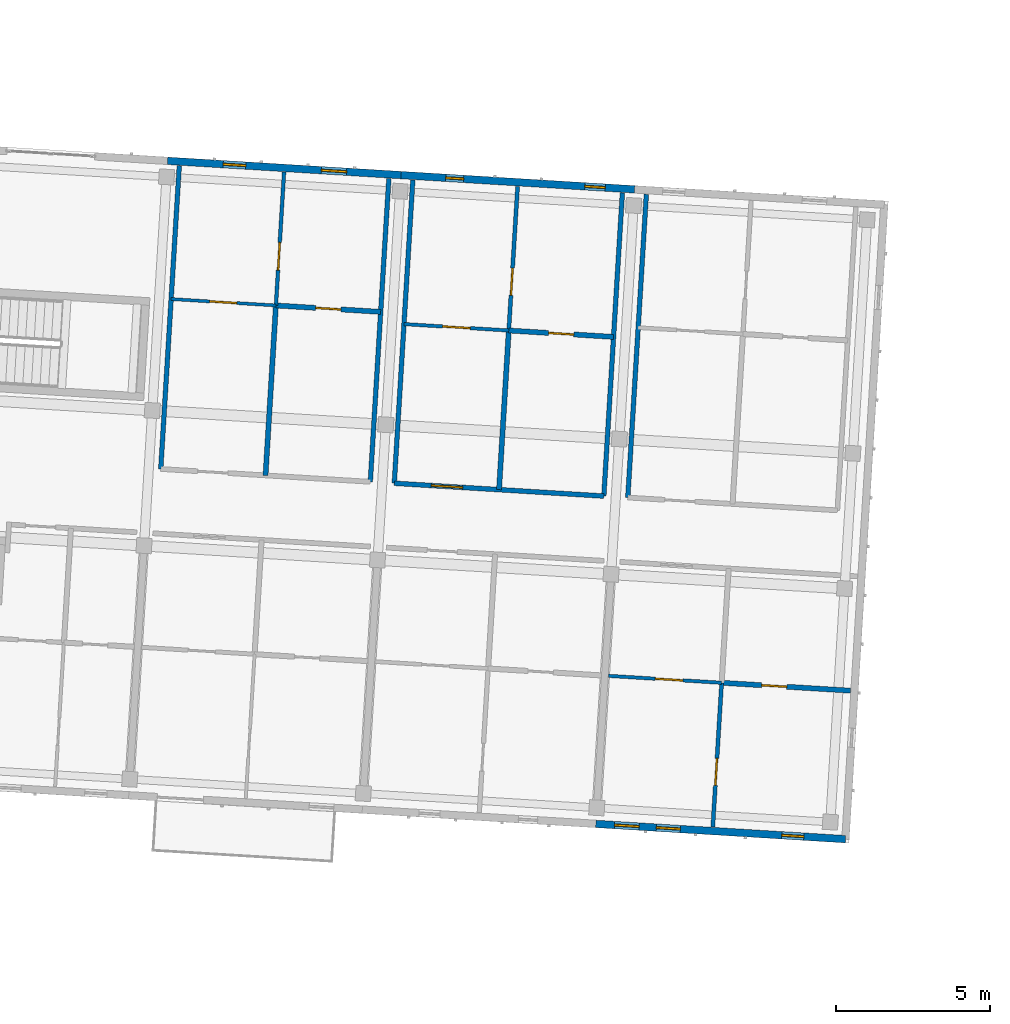
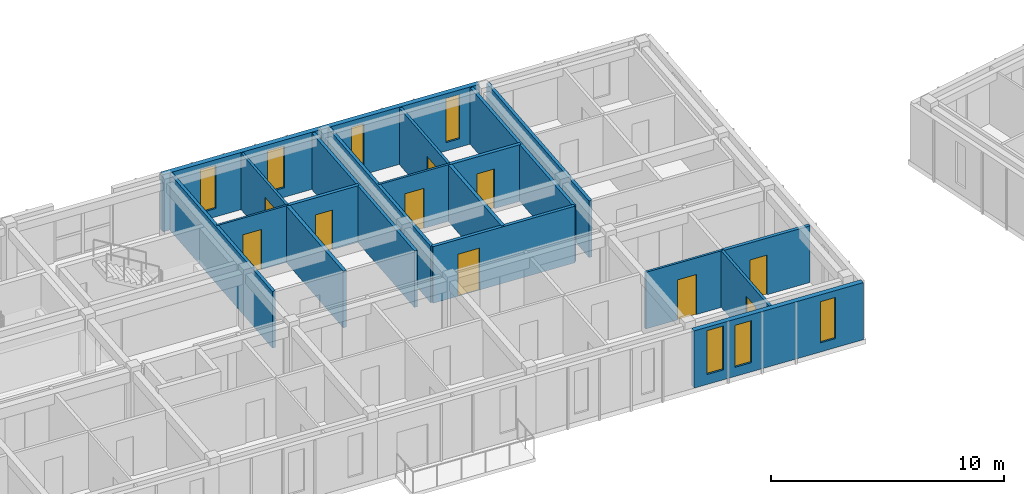
# One storey, part 27 of 68: 20 walls, 10 doors, 7 windows, 17 openings.
"""IFC4 building model written with IfcOpenShell, lengths in metres."""

from ifc_helpers import new_model, si_unit, direction, frame, frame_2d, origin, place, context, subcontext, project, spatial, rectangle, extrude, material, layer, layer_set, type_object, element, fill, save


model = new_model("IFC4")

# Units and contexts
model_context = context("Model", 3, precision=1e-05, world=origin(), true_north=direction((0.0, 1.0)))
body_context = subcontext(model_context, "Body", "Model", "MODEL_VIEW")
ifc_project = project(units=[si_unit("LENGTHUNIT", "METRE"), si_unit("AREAUNIT", "SQUARE_METRE"), si_unit("VOLUMEUNIT", "CUBIC_METRE"), si_unit("PLANEANGLEUNIT", "RADIAN"), si_unit("MASSUNIT", "GRAM", prefix="KILO")], contexts=[model_context])

# Site, building, storey
site_placement = place(None, origin())
site = spatial("IfcSite", under=ifc_project, at=site_placement, CompositionType="ELEMENT")
building_placement = place(site_placement, origin())
building = spatial("IfcBuilding", under=site, at=building_placement, Name="Kestramere Prow Commons", CompositionType="ELEMENT")
storey_placement = place(building_placement, frame((0.0, 0.0, 18.14990234375)))
storey = spatial("IfcBuildingStorey", under=building, at=storey_placement, Name="L05", CompositionType="ELEMENT", Elevation=18.14990234375)

# Wall, openings, windows
ifc_material_1 = material(Name="Fluoropolymer Standing-Seam Zinc-Aluminium Cladding", Category="aluminium")
ifc_layer_1 = layer(ifc_material_1, 0.239990234375)
ifc_layer_set_1 = layer_set([ifc_layer_1], Name="Fluoropolymer Standing-Seam Zinc-Aluminium Cladding")
wall_type_1 = type_object("IfcWallType", Name="EW-SEAM-240", PredefinedType="SOLIDWALL", material=ifc_layer_set_1)
wall_1_placement = place(storey_placement, frame((105.5068359375, 43.16015625, 0.0), z_axis=(0.0, 0.0, 1.0), x_axis=(-0.998134248939, 0.061057522844, 0.0)))
wall_1 = element("IfcWall", 1, at=wall_1_placement, inside=storey, type_object=wall_type_1, Name="Block C L05 South Standing-Seam Wall 6", PredefinedType="SOLIDWALL", context=body_context, shape_type="SweptSolid", body=[
    extrude(rectangle(XDim=8.125, YDim=0.239990234375, at=frame_2d((4.0625, 0.0))), origin(), (0.0, 0.0, 1.0), 3.0),
])
opening_1_placement = place(wall_1_placement, frame((1.3525390625, 0.0, 0.47998046875)))
opening_1 = element("IfcOpeningElement", 2, at=opening_1_placement, cuts=wall_1, Name="Opening WN-08", PredefinedType="OPENING", context=body_context, shape_type="SweptSolid", body=[
    extrude(rectangle(XDim=0.719970703125, YDim=2.159912109375, at=frame_2d((0.35986328125, 1.080078125))), frame((0.0, 0.135009765625, 0.0), z_axis=(0.0, -1.0, 0.0), x_axis=(1.0, 0.0, 0.0)), (0.0, 0.0, 1.0), 0.27001953125),
])
opening_2_placement = place(wall_1_placement, frame((5.373046875, 0.0, 0.47998046875)))
opening_2 = element("IfcOpeningElement", 3, at=opening_2_placement, cuts=wall_1, Name="Opening WN-11", PredefinedType="OPENING", context=body_context, shape_type="SweptSolid", body=[
    extrude(rectangle(XDim=0.780029296875, YDim=2.199951171875, at=frame_2d((0.39013671875, 1.10009765625))), frame((0.0, 0.135009765625, 0.0), z_axis=(0.0, -1.0, 0.0), x_axis=(1.0, 0.0, 0.0)), (0.0, 0.0, 1.0), 0.27001953125),
])
opening_3_placement = place(wall_1_placement, frame((6.715087890625, 0.0, 0.52001953125)))
opening_3 = element("IfcOpeningElement", 4, at=opening_3_placement, cuts=wall_1, Name="Opening WN-12", PredefinedType="OPENING", context=body_context, shape_type="SweptSolid", body=[
    extrude(rectangle(XDim=0.800048828125, YDim=2.300048828125, at=frame_2d((0.39990234375, 1.14990234375))), frame((0.0, 0.135009765625, 0.0), z_axis=(0.0, -1.0, 0.0), x_axis=(1.0, 0.0, 0.0)), (0.0, 0.0, 1.0), 0.27001953125),
])
ifc_material_2 = material(Name="Low-E Laminated Double Glazing", Category="glass")
window_type_1 = type_object("IfcWindowType", Name="WN-NAR-720A", PartitioningType="SINGLE_PANEL", PredefinedType="WINDOW", material=ifc_material_2)
window_1_placement = place(opening_1_placement, origin())
window_1 = element("IfcWindow", 5, at=window_1_placement, inside=storey, type_object=window_type_1, Name="WN-C-L05-S-5-00", OverallHeight=2.159912109375, OverallWidth=0.719970703125, PartitioningType="SINGLE_PANEL", PredefinedType="WINDOW", context=body_context, shape_type="SweptSolid", body=[
    extrude(rectangle(XDim=0.719970703125, YDim=2.159912109375, at=frame_2d((0.35986328125, 1.080078125))), frame((0.0, 0.030029296875, 0.0), z_axis=(0.0, -1.0, 0.0), x_axis=(1.0, 0.0, 0.0)), (0.0, 0.0, 1.0), 0.06005859375),
])
fill(opening_1, window_1)
window_type_2 = type_object("IfcWindowType", Name="WN-NAR-780A", PartitioningType="SINGLE_PANEL", PredefinedType="WINDOW", material=ifc_material_2)
window_2_placement = place(opening_2_placement, origin())
window_2 = element("IfcWindow", 6, at=window_2_placement, inside=storey, type_object=window_type_2, Name="WN-C-L05-S-5-10", OverallHeight=2.199951171875, OverallWidth=0.780029296875, PartitioningType="SINGLE_PANEL", PredefinedType="WINDOW", context=body_context, shape_type="SweptSolid", body=[
    extrude(rectangle(XDim=0.780029296875, YDim=2.199951171875, at=frame_2d((0.39013671875, 1.10009765625))), frame((0.0, 0.030029296875, 0.0), z_axis=(0.0, -1.0, 0.0), x_axis=(1.0, 0.0, 0.0)), (0.0, 0.0, 1.0), 0.06005859375),
])
fill(opening_2, window_2)
window_type_3 = type_object("IfcWindowType", Name="WN-NAR-800A", PartitioningType="SINGLE_PANEL", PredefinedType="WINDOW", material=ifc_material_2)
window_3_placement = place(opening_3_placement, origin())
window_3 = element("IfcWindow", 7, at=window_3_placement, inside=storey, type_object=window_type_3, Name="WN-C-L05-S-5-11", OverallHeight=2.300048828125, OverallWidth=0.800048828125, PartitioningType="SINGLE_PANEL", PredefinedType="WINDOW", context=body_context, shape_type="SweptSolid", body=[
    extrude(rectangle(XDim=0.800048828125, YDim=2.300048828125, at=frame_2d((0.39990234375, 1.14990234375))), frame((0.0, 0.030029296875, 0.0), z_axis=(0.0, -1.0, 0.0), x_axis=(1.0, 0.0, 0.0)), (0.0, 0.0, 1.0), 0.06005859375),
])
fill(opening_3, window_3)

wall_2_placement = place(storey_placement, frame((83.486083984375, 65.195556640625, 0.0), z_axis=(0.0, 0.0, 1.0), x_axis=(0.998135669243, -0.061034300063, 0.0)))
wall_2 = element("IfcWall", 8, at=wall_2_placement, inside=storey, type_object=wall_type_1, Name="Block C L05 North Standing-Seam Wall 4", PredefinedType="SOLIDWALL", context=body_context, shape_type="SweptSolid", body=[
    extrude(rectangle(XDim=7.60009765625, YDim=0.239990234375, at=frame_2d((3.800048828125, 0.0))), origin(), (0.0, 0.0, 1.0), 3.0),
])
opening_4_placement = place(wall_2_placement, frame((1.807373046875, 0.0, 0.43994140625)))
opening_4 = element("IfcOpeningElement", 9, at=opening_4_placement, cuts=wall_2, Name="Opening WN-09", PredefinedType="OPENING", context=body_context, shape_type="SweptSolid", body=[
    extrude(rectangle(XDim=0.739990234375, YDim=2.260009765625, at=frame_2d((0.3701171875, 1.1298828125))), frame((0.0, 0.135009765625, 0.0), z_axis=(0.0, -1.0, 0.0), x_axis=(1.0, 0.0, 0.0)), (0.0, 0.0, 1.0), 0.27001953125),
])
opening_5_placement = place(wall_2_placement, frame((5.005615234375, 0.0, 0.5)))
opening_5 = element("IfcOpeningElement", 10, at=opening_5_placement, cuts=wall_2, Name="Opening WN-13", PredefinedType="OPENING", context=body_context, shape_type="SweptSolid", body=[
    extrude(rectangle(XDim=0.820068359375, YDim=2.179931640625, at=frame_2d((0.41015625, 1.08984375))), frame((0.0, 0.135009765625, 0.0), z_axis=(0.0, -1.0, 0.0), x_axis=(1.0, 0.0, 0.0)), (0.0, 0.0, 1.0), 0.27001953125),
])
window_type_4 = type_object("IfcWindowType", Name="WN-NAR-740A", PartitioningType="SINGLE_PANEL", PredefinedType="WINDOW", material=ifc_material_2)
window_4_placement = place(opening_4_placement, origin())
window_4 = element("IfcWindow", 11, at=window_4_placement, inside=storey, type_object=window_type_4, Name="WN-C-L05-N-3-0", OverallHeight=2.260009765625, OverallWidth=0.739990234375, PartitioningType="SINGLE_PANEL", PredefinedType="WINDOW", context=body_context, shape_type="SweptSolid", body=[
    extrude(rectangle(XDim=0.739990234375, YDim=2.260009765625, at=frame_2d((0.3701171875, 1.1298828125))), frame((0.0, 0.030029296875, 0.0), z_axis=(0.0, -1.0, 0.0), x_axis=(1.0, 0.0, 0.0)), (0.0, 0.0, 1.0), 0.06005859375),
])
fill(opening_4, window_4)
window_type_5 = type_object("IfcWindowType", Name="WN-NAR-820A", PartitioningType="DOUBLE_PANEL_VERTICAL", PredefinedType="WINDOW", material=ifc_material_2)
window_5_placement = place(opening_5_placement, origin())
window_5 = element("IfcWindow", 12, at=window_5_placement, inside=storey, type_object=window_type_5, Name="WN-C-L05-N-3-1", OverallHeight=2.179931640625, OverallWidth=0.820068359375, PartitioningType="SINGLE_PANEL", PredefinedType="WINDOW", context=body_context, shape_type="SweptSolid", body=[
    extrude(rectangle(XDim=0.820068359375, YDim=2.179931640625, at=frame_2d((0.41015625, 1.08984375))), frame((0.0, 0.030029296875, 0.0), z_axis=(0.0, -1.0, 0.0), x_axis=(1.0, 0.0, 0.0)), (0.0, 0.0, 1.0), 0.06005859375),
])
fill(opening_5, window_5)

wall_3_placement = place(storey_placement, frame((91.072021484375, 64.731689453125, 0.0), z_axis=(0.0, 0.0, 1.0), x_axis=(0.998133591969, -0.061068261669, 0.0)))
wall_3 = element("IfcWall", 13, at=wall_3_placement, inside=storey, type_object=wall_type_1, Name="Block C L05 North Standing-Seam Wall 5", PredefinedType="SOLIDWALL", context=body_context, shape_type="SweptSolid", body=[
    extrude(rectangle(XDim=7.599853515625, YDim=0.239990234375, at=frame_2d((3.7998046875, 0.0))), origin(), (0.0, 0.0, 1.0), 3.0),
])
opening_6_placement = place(wall_3_placement, frame((1.4541015625, 0.0, 0.5)))
opening_6 = element("IfcOpeningElement", 14, at=opening_6_placement, cuts=wall_3, Name="Opening WN-01", PredefinedType="OPENING", context=body_context, shape_type="SweptSolid", body=[
    extrude(rectangle(XDim=0.580078125, YDim=2.159912109375, at=frame_2d((0.2900390625, 1.080078125))), frame((0.0, 0.135009765625, 0.0), z_axis=(0.0, -1.0, 0.0), x_axis=(1.0, 0.0, 0.0)), (0.0, 0.0, 1.0), 0.27001953125),
])
opening_7_placement = place(wall_3_placement, frame((5.981689453125, 0.0, 0.43994140625)))
opening_7 = element("IfcOpeningElement", 15, at=opening_7_placement, cuts=wall_3, Name="Opening WN-05", PredefinedType="OPENING", context=body_context, shape_type="SweptSolid", body=[
    extrude(rectangle(XDim=0.659912109375, YDim=2.320068359375, at=frame_2d((0.330078125, 1.16015625))), frame((0.0, 0.135009765625, 0.0), z_axis=(0.0, -1.0, 0.0), x_axis=(1.0, 0.0, 0.0)), (0.0, 0.0, 1.0), 0.27001953125),
])
window_type_6 = type_object("IfcWindowType", Name="WN-NAR-580A", PartitioningType="SINGLE_PANEL", PredefinedType="WINDOW", material=ifc_material_2)
window_6_placement = place(opening_6_placement, origin())
window_6 = element("IfcWindow", 16, at=window_6_placement, inside=storey, type_object=window_type_6, Name="WN-C-L05-N-4-0", OverallHeight=2.159912109375, OverallWidth=0.580078125, PartitioningType="SINGLE_PANEL", PredefinedType="WINDOW", context=body_context, shape_type="SweptSolid", body=[
    extrude(rectangle(XDim=0.580078125, YDim=2.159912109375, at=frame_2d((0.2900390625, 1.080078125))), frame((0.0, 0.030029296875, 0.0), z_axis=(0.0, -1.0, 0.0), x_axis=(1.0, 0.0, 0.0)), (0.0, 0.0, 1.0), 0.06005859375),
])
fill(opening_6, window_6)
window_type_7 = type_object("IfcWindowType", Name="WN-NAR-660A", PartitioningType="SINGLE_PANEL", PredefinedType="WINDOW", material=ifc_material_2)
window_7_placement = place(opening_7_placement, origin())
window_7 = element("IfcWindow", 17, at=window_7_placement, inside=storey, type_object=window_type_7, Name="WN-C-L05-N-4-1", OverallHeight=2.320068359375, OverallWidth=0.659912109375, PartitioningType="SINGLE_PANEL", PredefinedType="WINDOW", context=body_context, shape_type="SweptSolid", body=[
    extrude(rectangle(XDim=0.659912109375, YDim=2.320068359375, at=frame_2d((0.330078125, 1.16015625))), frame((0.0, 0.030029296875, 0.0), z_axis=(0.0, -1.0, 0.0), x_axis=(1.0, 0.0, 0.0)), (0.0, 0.0, 1.0), 0.06005859375),
])
fill(opening_7, window_7)

# Wall, opening, door
ifc_material_3 = material(Name="Fire-Rated Calcium Silicate Wall")
ifc_layer_2 = layer(ifc_material_3, 0.155029296875)
ifc_layer_set_2 = layer_set([ifc_layer_2], Name="Fire-Rated Calcium Silicate Wall")
wall_type_2 = type_object("IfcWallType", Name="W-FIRE-150", PredefinedType="PARTITIONING", material=ifc_layer_set_2)
wall_4_placement = place(storey_placement, frame((90.850341796875, 54.721435546875, 0.0), z_axis=(0.0, 0.0, 1.0), x_axis=(0.998135665032, -0.06103436893, 0.0)))
wall_4 = element("IfcWall", 18, at=wall_4_placement, inside=storey, type_object=wall_type_2, Name="Interior Partition PW-C-L05-CN-4", PredefinedType="PARTITIONING", context=body_context, shape_type="SweptSolid", body=[
    extrude(rectangle(XDim=6.820068359375, YDim=0.155029296875, at=frame_2d((3.41015625, 0.0))), origin(), (0.0, 0.0, 1.0), 2.97021484375),
])
opening_8_placement = place(wall_4_placement, frame((1.205078125, 0.0, 0.0)))
opening_8 = element("IfcOpeningElement", 19, at=opening_8_placement, cuts=wall_4, Name="Opening ID-05", PredefinedType="OPENING", context=body_context, shape_type="SweptSolid", body=[
    extrude(rectangle(XDim=1.02001953125, YDim=2.199951171875, at=frame_2d((0.510009765625, 1.10009765625))), frame((0.0, 0.092529296875, 0.0), z_axis=(0.0, -1.0, 0.0), x_axis=(1.0, 0.0, 0.0)), (0.0, 0.0, 1.0), 0.18505859375),
])
ifc_material_4 = material(Name="Hardwood Fire-Rated Flat Entrance Door", Category="wood")
door_type_1 = type_object("IfcDoorType", Name="FD-ENT-02", OperationType="NOTDEFINED", PredefinedType="DOOR", material=ifc_material_4)
door_1_placement = place(opening_8_placement, origin())
door_1 = element("IfcDoor", 20, at=door_1_placement, inside=storey, type_object=door_type_1, Name="Interior Door DR-C-L05-ENT-N4", OperationType="SINGLE_SWING_LEFT", OverallHeight=2.199951171875, OverallWidth=1.02001953125, PredefinedType="DOOR", context=body_context, shape_type="SweptSolid", body=[
    extrude(rectangle(XDim=1.02001953125, YDim=2.199951171875, at=frame_2d((0.510009765625, 1.10009765625))), frame((0.0, 0.02490234375, 0.0), z_axis=(0.0, -1.0, 0.0), x_axis=(1.0, 0.0, 0.0)), (0.0, 0.0, 1.0), 0.050048828125),
])
fill(opening_8, door_1)

ifc_material_5 = material(Name="Gypsum Acoustic Drywall")
ifc_layer_3 = layer(ifc_material_5, 0.10009765625)
ifc_layer_set_3 = layer_set([ifc_layer_3], Name="Gypsum Acoustic Drywall")
wall_type_3 = type_object("IfcWallType", Name="W-PART-100", PredefinedType="PARTITIONING", material=ifc_layer_set_3)
wall_5_placement = place(storey_placement, frame((83.60205078125, 60.705078125, 0.0), z_axis=(0.0, 0.0, 1.0), x_axis=(0.998133617109, -0.061067850767, 0.0)))
wall_5 = element("IfcWall", 21, at=wall_5_placement, inside=storey, type_object=wall_type_3, Name="Interior Partition PW-C-L05-MIDN1-3", PredefinedType="PARTITIONING", context=body_context, shape_type="SweptSolid", body=[
    extrude(rectangle(XDim=3.41015625, YDim=0.10009765625, at=frame_2d((1.705078125, 0.0))), origin(), (0.0, 0.0, 1.0), 2.97021484375),
])
opening_9_placement = place(wall_5_placement, frame((1.2548828125, 0.0, 0.0)))
opening_9 = element("IfcOpeningElement", 22, at=opening_9_placement, cuts=wall_5, Name="Opening ID-10", PredefinedType="OPENING", context=body_context, shape_type="SweptSolid", body=[
    extrude(rectangle(XDim=0.8798828125, YDim=2.10009765625, at=frame_2d((0.43994140625, 1.050048828125))), frame((0.0, 0.06494140625, 0.0), z_axis=(0.0, -1.0, 0.0), x_axis=(1.0, 0.0, 0.0)), (0.0, 0.0, 1.0), 0.130126953125),
])
ifc_material_6 = material(Name="Engineered Timber Bedroom Door", Category="wood")
door_type_2 = type_object("IfcDoorType", Name="D-RM-03", OperationType="NOTDEFINED", PredefinedType="DOOR", material=ifc_material_6)
door_2_placement = place(opening_9_placement, origin())
door_2 = element("IfcDoor", 23, at=door_2_placement, inside=storey, type_object=door_type_2, Name="Interior Door DR-C-L05-KL-N3", OperationType="SINGLE_SWING_LEFT", OverallHeight=2.10009765625, OverallWidth=0.8798828125, PredefinedType="DOOR", context=body_context, shape_type="SweptSolid", body=[
    extrude(rectangle(XDim=0.8798828125, YDim=2.10009765625, at=frame_2d((0.43994140625, 1.050048828125))), frame((0.0, 0.02490234375, 0.0), z_axis=(0.0, -1.0, 0.0), x_axis=(1.0, 0.0, 0.0)), (0.0, 0.0, 1.0), 0.050048828125),
])
fill(opening_9, door_2)

ifc_layer_4 = layer(ifc_material_5, 0.110107421875)
ifc_layer_set_4 = layer_set([ifc_layer_4], Name="Gypsum Acoustic Drywall")
wall_type_4 = type_object("IfcWallType", Name="W-PART-110", PredefinedType="PARTITIONING", material=ifc_layer_set_4)
wall_6_placement = place(storey_placement, frame((97.806396484375, 48.465087890625, 0.0), z_axis=(0.0, 0.0, 1.0), x_axis=(0.998136719672, -0.061017119263, 0.0)))
wall_6 = element("IfcWall", 24, at=wall_6_placement, inside=storey, type_object=wall_type_4, Name="Interior Partition PW-C-L05-MIDS1-5", PredefinedType="PARTITIONING", context=body_context, shape_type="SweptSolid", body=[
    extrude(rectangle(XDim=3.68505859375, YDim=0.110107421875, at=frame_2d((1.842529296875, 0.0))), origin(), (0.0, 0.0, 1.0), 2.97021484375),
])
opening_10_placement = place(wall_6_placement, frame((1.52490234375, 0.0, 0.0)))
opening_10 = element("IfcOpeningElement", 25, at=opening_10_placement, cuts=wall_6, Name="Opening ID-08", PredefinedType="OPENING", context=body_context, shape_type="SweptSolid", body=[
    extrude(rectangle(XDim=0.89990234375, YDim=2.10009765625, at=frame_2d((0.449951171875, 1.050048828125))), frame((0.0, 0.070068359375, 0.0), z_axis=(0.0, -1.0, 0.0), x_axis=(1.0, 0.0, 0.0)), (0.0, 0.0, 1.0), 0.14013671875),
])
ifc_material_7 = material(Name="Engineered Timber Flush Door", Category="wood")
door_type_3 = type_object("IfcDoorType", Name="D-RM-01", OperationType="NOTDEFINED", PredefinedType="DOOR", material=ifc_material_7)
door_3_placement = place(opening_10_placement, origin())
door_3 = element("IfcDoor", 26, at=door_3_placement, inside=storey, type_object=door_type_3, Name="Interior Door DR-C-L05-KL-S5", OperationType="SINGLE_SWING_RIGHT", OverallHeight=2.10009765625, OverallWidth=0.89990234375, PredefinedType="DOOR", context=body_context, shape_type="SweptSolid", body=[
    extrude(rectangle(XDim=0.89990234375, YDim=2.10009765625, at=frame_2d((0.449951171875, 1.050048828125))), frame((0.0, 0.02490234375, 0.0), z_axis=(0.0, -1.0, 0.0), x_axis=(1.0, 0.0, 0.0)), (0.0, 0.0, 1.0), 0.050048828125),
])
fill(opening_10, door_3)

wall_7_placement = place(storey_placement, frame((91.16650390625, 59.891845703125, 0.0), z_axis=(0.0, 0.0, 1.0), x_axis=(0.998133617109, -0.061067850767, 0.0)))
wall_7 = element("IfcWall", 27, at=wall_7_placement, inside=storey, type_object=wall_type_4, Name="Interior Partition PW-C-L05-MIDN1-4", PredefinedType="PARTITIONING", context=body_context, shape_type="SweptSolid", body=[
    extrude(rectangle(XDim=3.41015625, YDim=0.110107421875, at=frame_2d((1.705078125, 0.0))), origin(), (0.0, 0.0, 1.0), 2.97021484375),
])
opening_11_placement = place(wall_7_placement, frame((1.2548828125, 0.0, 0.0)))
opening_11 = element("IfcOpeningElement", 28, at=opening_11_placement, cuts=wall_7, Name="Opening ID-08", PredefinedType="OPENING", context=body_context, shape_type="SweptSolid", body=[
    extrude(rectangle(XDim=0.89990234375, YDim=2.10009765625, at=frame_2d((0.449951171875, 1.050048828125))), frame((0.0, 0.070068359375, 0.0), z_axis=(0.0, -1.0, 0.0), x_axis=(1.0, 0.0, 0.0)), (0.0, 0.0, 1.0), 0.14013671875),
])
door_4_placement = place(opening_11_placement, origin())
door_4 = element("IfcDoor", 29, at=door_4_placement, inside=storey, type_object=door_type_3, Name="Interior Door DR-C-L05-KL-N4", OperationType="SINGLE_SWING_LEFT", OverallHeight=2.10009765625, OverallWidth=0.89990234375, PredefinedType="DOOR", context=body_context, shape_type="SweptSolid", body=[
    extrude(rectangle(XDim=0.89990234375, YDim=2.10009765625, at=frame_2d((0.449951171875, 1.050048828125))), frame((0.0, 0.02490234375, 0.0), z_axis=(0.0, -1.0, 0.0), x_axis=(1.0, 0.0, 0.0)), (0.0, 0.0, 1.0), 0.050048828125),
])
fill(opening_11, door_4)

ifc_material_8 = material(Name="Lightweight Blockwork and Plaster", Category="masonry")
ifc_layer_5 = layer(ifc_material_8, 0.1201171875)
ifc_layer_set_5 = layer_set([ifc_layer_5], Name="Lightweight Blockwork and Plaster")
wall_type_5 = type_object("IfcWallType", Name="W-PART-120", PredefinedType="PARTITIONING", material=ifc_layer_set_5)
wall_8_placement = place(storey_placement, frame((87.005859375, 60.496826171875, 0.0), z_axis=(0.0, 0.0, 1.0), x_axis=(0.06103343432, 0.998135722182, 0.0)))
wall_8 = element("IfcWall", 30, at=wall_8_placement, inside=storey, type_object=wall_type_5, Name="Interior Partition PW-C-L05-LB-N3", PredefinedType="PARTITIONING", context=body_context, shape_type="SweptSolid", body=[
    extrude(rectangle(XDim=4.340087890625, YDim=0.1201171875, at=frame_2d((2.169921875, 0.0))), origin(), (0.0, 0.0, 1.0), 2.97021484375),
])
opening_12_placement = place(wall_8_placement, frame((1.14990234375, 0.0, 0.0)))
opening_12 = element("IfcOpeningElement", 31, at=opening_12_placement, cuts=wall_8, Name="Opening ID-08", PredefinedType="OPENING", context=body_context, shape_type="SweptSolid", body=[
    extrude(rectangle(XDim=0.89990234375, YDim=2.10009765625, at=frame_2d((0.449951171875, 1.050048828125))), frame((0.0, 0.074951171875, 0.0), z_axis=(0.0, -1.0, 0.0), x_axis=(1.0, 0.0, 0.0)), (0.0, 0.0, 1.0), 0.150146484375),
])
door_5_placement = place(opening_12_placement, origin())
door_5 = element("IfcDoor", 32, at=door_5_placement, inside=storey, type_object=door_type_3, Name="Interior Door DR-C-L05-BED-N3", OperationType="SINGLE_SWING_LEFT", OverallHeight=2.10009765625, OverallWidth=0.89990234375, PredefinedType="DOOR", context=body_context, shape_type="SweptSolid", body=[
    extrude(rectangle(XDim=0.89990234375, YDim=2.10009765625, at=frame_2d((0.449951171875, 1.050048828125))), frame((0.0, 0.02490234375, 0.0), z_axis=(0.0, -1.0, 0.0), x_axis=(1.0, 0.0, 0.0)), (0.0, 0.0, 1.0), 0.050048828125),
])
fill(opening_12, door_5)

ifc_layer_6 = layer(ifc_material_8, 0.1298828125)
ifc_layer_set_6 = layer_set([ifc_layer_6], Name="Lightweight Blockwork and Plaster")
wall_type_6 = type_object("IfcWallType", Name="W-PART-130", PredefinedType="PARTITIONING", material=ifc_layer_set_6)
wall_9_placement = place(storey_placement, frame((101.1982421875, 43.558837890625, 0.0), z_axis=(0.0, 0.0, 1.0), x_axis=(0.061059262019, 0.998134142549, 0.0)))
wall_9 = element("IfcWall", 33, at=wall_9_placement, inside=storey, type_object=wall_type_6, Name="Interior Partition PW-C-L05-LB-S5", PredefinedType="PARTITIONING", context=body_context, shape_type="SweptSolid", body=[
    extrude(rectangle(XDim=4.690185546875, YDim=0.1298828125, at=frame_2d((2.34521484375, 0.0))), origin(), (0.0, 0.0, 1.0), 2.97021484375),
])
opening_13_placement = place(wall_9_placement, frame((1.35009765625, 0.0, 0.0)))
opening_13 = element("IfcOpeningElement", 34, at=opening_13_placement, cuts=wall_9, Name="Opening ID-10", PredefinedType="OPENING", context=body_context, shape_type="SweptSolid", body=[
    extrude(rectangle(XDim=0.8798828125, YDim=2.10009765625, at=frame_2d((0.43994140625, 1.050048828125))), frame((0.0, 0.079833984375, 0.0), z_axis=(0.0, -1.0, 0.0), x_axis=(1.0, 0.0, 0.0)), (0.0, 0.0, 1.0), 0.159912109375),
])
door_6_placement = place(opening_13_placement, origin())
door_6 = element("IfcDoor", 35, at=door_6_placement, inside=storey, type_object=door_type_2, Name="Interior Door DR-C-L05-BED-S5", OperationType="SINGLE_SWING_RIGHT", OverallHeight=2.10009765625, OverallWidth=0.8798828125, PredefinedType="DOOR", context=body_context, shape_type="SweptSolid", body=[
    extrude(rectangle(XDim=0.8798828125, YDim=2.10009765625, at=frame_2d((0.43994140625, 1.050048828125))), frame((0.0, 0.02490234375, 0.0), z_axis=(0.0, -1.0, 0.0), x_axis=(1.0, 0.0, 0.0)), (0.0, 0.0, 1.0), 0.050048828125),
])
fill(opening_13, door_6)

wall_10_placement = place(storey_placement, frame((94.5703125, 59.68359375, 0.0), z_axis=(0.0, 0.0, 1.0), x_axis=(0.061062434628, 0.998133948465, 0.0)))
wall_10 = element("IfcWall", 36, at=wall_10_placement, inside=storey, type_object=wall_type_6, Name="Interior Partition PW-C-L05-LB-N4", PredefinedType="PARTITIONING", context=body_context, shape_type="SweptSolid", body=[
    extrude(rectangle(XDim=4.68994140625, YDim=0.1298828125, at=frame_2d((2.344970703125, 0.0))), origin(), (0.0, 0.0, 1.0), 2.97021484375),
])
opening_14_placement = place(wall_10_placement, frame((1.14990234375, 0.0, 0.0)))
opening_14 = element("IfcOpeningElement", 37, at=opening_14_placement, cuts=wall_10, Name="Opening ID-10", PredefinedType="OPENING", context=body_context, shape_type="SweptSolid", body=[
    extrude(rectangle(XDim=0.8798828125, YDim=2.10009765625, at=frame_2d((0.43994140625, 1.050048828125))), frame((0.0, 0.079833984375, 0.0), z_axis=(0.0, -1.0, 0.0), x_axis=(1.0, 0.0, 0.0)), (0.0, 0.0, 1.0), 0.159912109375),
])
door_7_placement = place(opening_14_placement, origin())
door_7 = element("IfcDoor", 38, at=door_7_placement, inside=storey, type_object=door_type_2, Name="Interior Door DR-C-L05-BED-N4", OperationType="SINGLE_SWING_LEFT", OverallHeight=2.10009765625, OverallWidth=0.8798828125, PredefinedType="DOOR", context=body_context, shape_type="SweptSolid", body=[
    extrude(rectangle(XDim=0.8798828125, YDim=2.10009765625, at=frame_2d((0.43994140625, 1.050048828125))), frame((0.0, 0.02490234375, 0.0), z_axis=(0.0, -1.0, 0.0), x_axis=(1.0, 0.0, 0.0)), (0.0, 0.0, 1.0), 0.050048828125),
])
fill(opening_14, door_7)

# Walls
ifc_material_9 = material(Name="Masonry Compartment Wall", Category="masonry")
ifc_layer_7 = layer(ifc_material_9, 0.14990234375)
ifc_layer_set_7 = layer_set([ifc_layer_7], Name="Masonry Compartment Wall")
wall_type_7 = type_object("IfcWallType", Name="W-PART-150", PredefinedType="PARTITIONING", material=ifc_layer_set_7)
wall_11_placement = place(storey_placement, frame((83.2646484375, 55.185302734375, 0.0), z_axis=(0.0, 0.0, 1.0), x_axis=(0.061046193261, 0.998134941923, 0.0)))
element("IfcWall", 39, at=wall_11_placement, inside=storey, type_object=wall_type_7, Name="Interior Partition PW-C-L05-NWL-3", PredefinedType="PARTITIONING", context=body_context, shape_type="SweptSolid", body=[
    extrude(rectangle(XDim=9.8701171875, YDim=0.14990234375, at=frame_2d((4.93505859375, 0.0))), origin(), (0.0, 0.0, 1.0), 2.97021484375),
])
for number, where, z_axis, x_axis, name in (
    (40, (90.07177734375, 54.76904296875, 0.0), (0.0, 0.0, 1.0), (0.061047700465, 0.998134849741, 0.0), "Interior Partition PW-C-L05-NWR-3"),
    (41, (90.850341796875, 54.721435546875, 0.0), (0.0, 0.0, 1.0), (0.061047700465, 0.998134849741, 0.0), "Interior Partition PW-C-L05-NWL-4"),
    (42, (97.65771484375, 54.30517578125, 0.0), (0.0, 0.0, 1.0), (0.061047700465, 0.998134849741, 0.0), "Interior Partition PW-C-L05-NWR-4"),
    (43, (98.436279296875, 54.257568359375, 0.0), (0.0, 0.0, 1.0), (0.061047700465, 0.998134849741, 0.0), "Interior Partition PW-C-L05-NWL-5"),
):
    element("IfcWall", number, at=place(storey_placement, frame(where, z_axis=z_axis, x_axis=x_axis)), inside=storey, type_object=wall_type_7, Name=name, PredefinedType="PARTITIONING", context=body_context, shape_type="SweptSolid", body=[
        extrude(rectangle(XDim=9.869873046875, YDim=0.14990234375, at=frame_2d((4.93505859375, 0.0))), origin(), (0.0, 0.0, 1.0), 2.97021484375),
    ])

# Wall, opening, door
ifc_material_10 = material(Name="Waterproof Sanitary Masonry Wall", Category="masonry")
ifc_layer_8 = layer(ifc_material_10, 0.1650390625)
ifc_layer_set_8 = layer_set([ifc_layer_8], Name="Waterproof Sanitary Masonry Wall")
wall_type_8 = type_object("IfcWallType", Name="W-PLUMB-150", PredefinedType="PLUMBINGWALL", material=ifc_layer_set_8)
wall_12_placement = place(storey_placement, frame((101.484619140625, 48.240234375, 0.0), z_axis=(0.0, 0.0, 1.0), x_axis=(0.998134581856, -0.061052080255, 0.0)))
wall_12 = element("IfcWall", 44, at=wall_12_placement, inside=storey, type_object=wall_type_8, Name="Interior Partition PW-C-L05-MIDS2-5", PredefinedType="PLUMBINGWALL", context=body_context, shape_type="SweptSolid", body=[
    extrude(rectangle(XDim=4.19482421875, YDim=0.1650390625, at=frame_2d((2.097412109375, 0.0))), origin(), (0.0, 0.0, 1.0), 2.97021484375),
])
opening_15_placement = place(wall_12_placement, frame((1.300048828125, 0.0, 0.0)))
opening_15 = element("IfcOpeningElement", 45, at=opening_15_placement, cuts=wall_12, Name="Opening ID-11", PredefinedType="OPENING", context=body_context, shape_type="SweptSolid", body=[
    extrude(rectangle(XDim=0.820068359375, YDim=2.080078125, at=frame_2d((0.41015625, 1.0400390625))), frame((0.0, 0.097412109375, 0.0), z_axis=(0.0, -1.0, 0.0), x_axis=(1.0, 0.0, 0.0)), (0.0, 0.0, 1.0), 0.195068359375),
])
ifc_material_11 = material(Name="Moisture-Resistant Timber Bathroom Door", Category="wood")
door_type_4 = type_object("IfcDoorType", Name="D-BT-01", OperationType="NOTDEFINED", PredefinedType="DOOR", material=ifc_material_11)
door_8_placement = place(opening_15_placement, origin())
door_8 = element("IfcDoor", 46, at=door_8_placement, inside=storey, type_object=door_type_4, Name="Interior Door DR-C-L05-BTH-S5", OperationType="SINGLE_SWING_LEFT", OverallHeight=2.080078125, OverallWidth=0.820068359375, PredefinedType="DOOR", context=body_context, shape_type="SweptSolid", body=[
    extrude(rectangle(XDim=0.820068359375, YDim=2.080078125, at=frame_2d((0.41015625, 1.0400390625))), frame((0.0, 0.02490234375, 0.0), z_axis=(0.0, -1.0, 0.0), x_axis=(1.0, 0.0, 0.0)), (0.0, 0.0, 1.0), 0.050048828125),
])
fill(opening_15, door_8)

wall_13_placement = place(storey_placement, frame((87.005859375, 60.496826171875, 0.0), z_axis=(0.0, 0.0, 1.0), x_axis=(0.998137711988, -0.061000884486, 0.0)))
wall_13 = element("IfcWall", 47, at=wall_13_placement, inside=storey, type_object=wall_type_8, Name="Interior Partition PW-C-L05-MIDN2-3", PredefinedType="PLUMBINGWALL", context=body_context, shape_type="SweptSolid", body=[
    extrude(rectangle(XDim=3.409912109375, YDim=0.1650390625, at=frame_2d((1.705078125, 0.0))), origin(), (0.0, 0.0, 1.0), 2.97021484375),
])
opening_16_placement = place(wall_13_placement, frame((1.294921875, 0.0, 0.0)))
opening_16 = element("IfcOpeningElement", 48, at=opening_16_placement, cuts=wall_13, Name="Opening ID-11", PredefinedType="OPENING", context=body_context, shape_type="SweptSolid", body=[
    extrude(rectangle(XDim=0.820068359375, YDim=2.080078125, at=frame_2d((0.41015625, 1.0400390625))), frame((0.0, 0.097412109375, 0.0), z_axis=(0.0, -1.0, 0.0), x_axis=(1.0, 0.0, 0.0)), (0.0, 0.0, 1.0), 0.195068359375),
])
door_9_placement = place(opening_16_placement, origin())
door_9 = element("IfcDoor", 49, at=door_9_placement, inside=storey, type_object=door_type_4, Name="Interior Door DR-C-L05-BTH-N3", OperationType="SINGLE_SWING_RIGHT", OverallHeight=2.080078125, OverallWidth=0.820068359375, PredefinedType="DOOR", context=body_context, shape_type="SweptSolid", body=[
    extrude(rectangle(XDim=0.820068359375, YDim=2.080078125, at=frame_2d((0.41015625, 1.0400390625))), frame((0.0, 0.02490234375, 0.0), z_axis=(0.0, -1.0, 0.0), x_axis=(1.0, 0.0, 0.0)), (0.0, 0.0, 1.0), 0.050048828125),
])
fill(opening_16, door_9)

# Wall
wall_14_placement = place(storey_placement, frame((86.668212890625, 54.977294921875, 0.0), z_axis=(0.0, 0.0, 1.0), x_axis=(0.061058897293, 0.99813416486, 0.0)))
element("IfcWall", 50, at=wall_14_placement, inside=storey, type_object=wall_type_8, Name="Interior Partition PW-C-L05-KB-N3", PredefinedType="PLUMBINGWALL", context=body_context, shape_type="SweptSolid", body=[
    extrude(rectangle(XDim=5.52978515625, YDim=0.1650390625, at=frame_2d((2.764892578125, 0.0))), origin(), (0.0, 0.0, 1.0), 2.97021484375),
])

# Wall, opening, door
wall_15_placement = place(storey_placement, frame((94.5703125, 59.68359375, 0.0), z_axis=(0.0, 0.0, 1.0), x_axis=(0.998133350094, -0.061072214879, 0.0)))
wall_15 = element("IfcWall", 51, at=wall_15_placement, inside=storey, type_object=wall_type_8, Name="Interior Partition PW-C-L05-MIDN2-4", PredefinedType="PLUMBINGWALL", context=body_context, shape_type="SweptSolid", body=[
    extrude(rectangle(XDim=3.409912109375, YDim=0.1650390625, at=frame_2d((1.705078125, 0.0))), origin(), (0.0, 0.0, 1.0), 2.97021484375),
])
opening_17_placement = place(wall_15_placement, frame((1.294921875, 0.0, 0.0)))
opening_17 = element("IfcOpeningElement", 52, at=opening_17_placement, cuts=wall_15, Name="Opening ID-11", PredefinedType="OPENING", context=body_context, shape_type="SweptSolid", body=[
    extrude(rectangle(XDim=0.820068359375, YDim=2.080078125, at=frame_2d((0.41015625, 1.0400390625))), frame((0.0, 0.097412109375, 0.0), z_axis=(0.0, -1.0, 0.0), x_axis=(1.0, 0.0, 0.0)), (0.0, 0.0, 1.0), 0.195068359375),
])
door_10_placement = place(opening_17_placement, origin())
door_10 = element("IfcDoor", 53, at=door_10_placement, inside=storey, type_object=door_type_4, Name="Interior Door DR-C-L05-BTH-N4", OperationType="SINGLE_SWING_RIGHT", OverallHeight=2.080078125, OverallWidth=0.820068359375, PredefinedType="DOOR", context=body_context, shape_type="SweptSolid", body=[
    extrude(rectangle(XDim=0.820068359375, YDim=2.080078125, at=frame_2d((0.41015625, 1.0400390625))), frame((0.0, 0.02490234375, 0.0), z_axis=(0.0, -1.0, 0.0), x_axis=(1.0, 0.0, 0.0)), (0.0, 0.0, 1.0), 0.050048828125),
])
fill(opening_17, door_10)

# Wall
wall_16_placement = place(storey_placement, frame((94.25390625, 54.51318359375, 0.0), z_axis=(0.0, 0.0, 1.0), x_axis=(0.061081315517, 0.998132793217, 0.0)))
element("IfcWall", 54, at=wall_16_placement, inside=storey, type_object=wall_type_8, Name="Interior Partition PW-C-L05-KB-N4", PredefinedType="PLUMBINGWALL", context=body_context, shape_type="SweptSolid", body=[
    extrude(rectangle(XDim=5.18017578125, YDim=0.1650390625, at=frame_2d((2.590087890625, 0.0))), origin(), (0.0, 0.0, 1.0), 2.97021484375),
])

save(model, "model.ifc")
